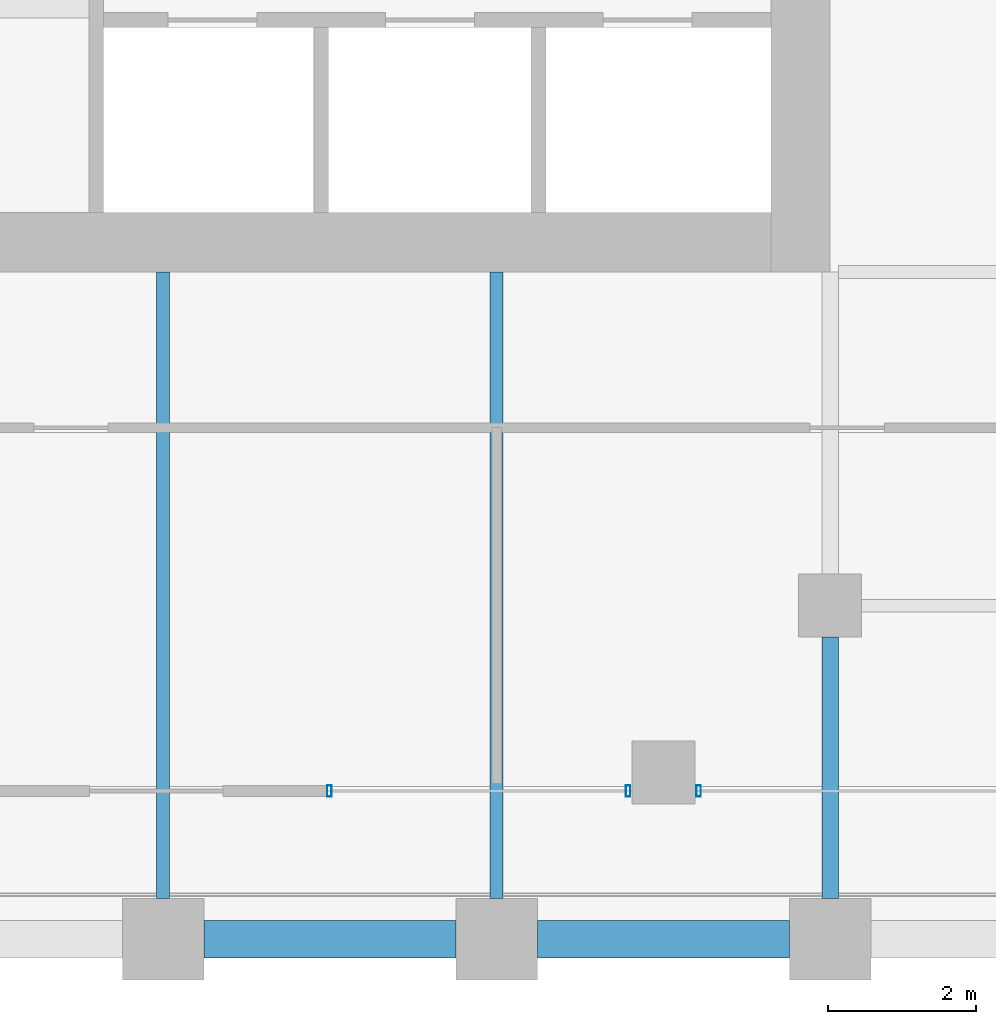
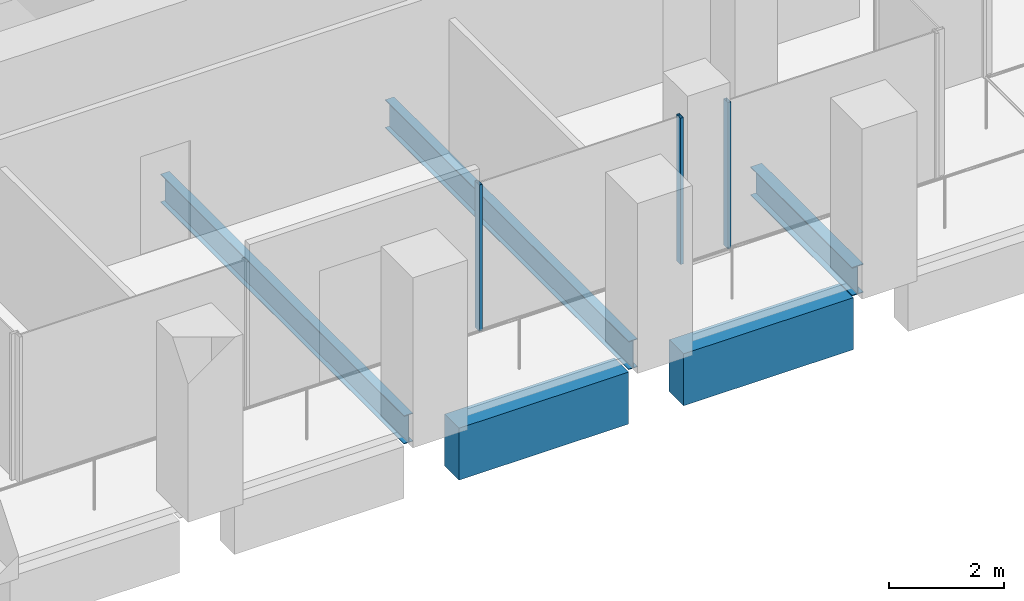
# One storey, part 37 of 56: 5 beams, 3 members, 2 elements without a shape of their own.
"""IFC4 building model written with IfcOpenShell, lengths in metres."""

from ifc_helpers import new_model, si_unit, direction, frame, origin, origin_2d, place, context, subcontext, project, spatial, rectangle, hollow_rectangle, i_section, extrude, material, material_profile, profile_set, type_object, element, aggregate, save


model = new_model("IFC4")

# Units and contexts
model_context = context("Model", 3, precision=1e-05, world=origin(), true_north=direction((0.0, 1.0)))
body_context = subcontext(model_context, "Body", "Model", "MODEL_VIEW")
ifc_project = project(units=[si_unit("LENGTHUNIT", "METRE"), si_unit("AREAUNIT", "SQUARE_METRE"), si_unit("VOLUMEUNIT", "CUBIC_METRE"), si_unit("PLANEANGLEUNIT", "RADIAN"), si_unit("MASSUNIT", "GRAM", prefix="KILO")], contexts=[model_context])

# Site, building, storey
site_placement = place(None, origin())
site = spatial("IfcSite", under=ifc_project, at=site_placement, CompositionType="ELEMENT")
building_placement = place(site_placement, origin())
building = spatial("IfcBuilding", under=site, at=building_placement, Name="Altepetl Exchange Towers", CompositionType="ELEMENT")
storey_placement = place(building_placement, frame((0.0, 0.0, 72.60009765625)))
storey = spatial("IfcBuildingStorey", under=building, at=storey_placement, Name="L17", CompositionType="ELEMENT", Elevation=72.60009765625)

# Beams
ifc_material_1 = material(Name="Steel S355", Category="steel")
ifc_material_profile_1 = material_profile(ifc_material_1, i_section(OverallWidth=0.177978515625, OverallDepth=0.59912109375, WebThickness=0.010009765625, FlangeThickness=0.0126953125, at=origin_2d()), Name="W24X55")
ifc_profile_set_1 = profile_set([ifc_material_profile_1], Name="Steel S355")
beam_type_1 = type_object("IfcBeamType", Name="Floor beam W24X55", PredefinedType="BEAM", material=ifc_profile_set_1)
for number, where, z_axis, x_axis, name in (
    (1, (108.0, 27.550048828125, -0.44970703125), (0.0, 1.0, 0.0), (-1.0, 0.0, 0.0), "bm:B:L17:010"),
    (2, (112.5, 27.550048828125, -0.44970703125), (0.0, 1.0, 0.0), (-1.0, 0.0, 0.0), "bm:B:L17:011"),
):
    element("IfcBeam", number, at=place(storey_placement, frame(where, z_axis=z_axis, x_axis=x_axis)), inside=storey, type_object=beam_type_1, Name=name, PredefinedType="BEAM", context=body_context, shape_type="SweptSolid", body=[
        extrude(i_section(OverallWidth=0.177978515625, OverallDepth=0.59912109375, WebThickness=0.010009765625, FlangeThickness=0.0126953125, at=origin_2d()), origin(), (0.0, 0.0, 1.0), 8.449951171875),
    ])
ifc_material_profile_2 = material_profile(ifc_material_1, i_section(OverallWidth=0.22802734375, OverallDepth=0.60791015625, WebThickness=0.01123046875, FlangeThickness=0.017333984375, at=origin_2d()), Name="W24X76")
ifc_profile_set_2 = profile_set([ifc_material_profile_2], Name="Steel S355")
beam_type_2 = type_object("IfcBeamType", Name="Girder W24X76", PredefinedType="BEAM", material=ifc_profile_set_2)
beam_placement = place(storey_placement, frame((117.0, 31.074951171875, -0.4541015625), z_axis=(0.0, -1.0, 0.0), x_axis=(1.0, 0.0, 0.0)))
element("IfcBeam", 3, at=beam_placement, inside=storey, type_object=beam_type_2, Name="gd:B:L17:005", PredefinedType="BEAM", context=body_context, shape_type="SweptSolid", body=[
    extrude(i_section(OverallWidth=0.22802734375, OverallDepth=0.60791015625, WebThickness=0.01123046875, FlangeThickness=0.017333984375, at=origin_2d()), origin(), (0.0, 0.0, 1.0), 3.52490234375),
])

# Curtain wall, members
ifc_material_2 = material(Name="Aluminium 6063-T6 glazing", Category="aluminium")
curtain_wall_type = type_object("IfcCurtainWallType", Name="Loggia glazing system", PredefinedType="NOTDEFINED", material=ifc_material_2)
curtain_wall_1_placement = place(storey_placement, origin())
curtain_wall_1 = element("IfcCurtainWall", 4, at=curtain_wall_1_placement, inside=storey, type_object=curtain_wall_type, Name="CW1 run", PredefinedType="NOTDEFINED")
ifc_material_3 = material(Name="Aluminium 6063-T6", Category="aluminium")
ifc_material_profile_3 = material_profile(ifc_material_3, hollow_rectangle(XDim=0.06005859375, YDim=0.14990234375, WallThickness=0.0029296875, at=origin_2d()), Name="Mullion 60x150 aluminium")
ifc_profile_set_3 = profile_set([ifc_material_profile_3], Name="Aluminium 6063-T6")
member_type = type_object("IfcMemberType", Name="Mullion 60x150 aluminium", PredefinedType="MULLION", material=ifc_profile_set_3)
member_1_placement = place(storey_placement, frame((110.242431640625, 29.0, 0.0)))
member_1 = element("IfcMember", 5, at=member_1_placement, type_object=member_type, Name="MU1 mullion", PredefinedType="MULLION", context=body_context, shape_type="SweptSolid", body=[
    extrude(hollow_rectangle(XDim=0.06005859375, YDim=0.14990234375, WallThickness=0.0029296875, at=origin_2d()), origin(), (0.0, 0.0, 1.0), 3.099853515625),
])
member_2_placement = place(storey_placement, frame((114.27490234375, 29.0, 0.0)))
member_2 = element("IfcMember", 6, at=member_2_placement, type_object=member_type, Name="MU1 mullion", PredefinedType="MULLION", context=body_context, shape_type="SweptSolid", body=[
    extrude(hollow_rectangle(XDim=0.06005859375, YDim=0.14990234375, WallThickness=0.0029296875, at=origin_2d()), origin(), (0.0, 0.0, 1.0), 3.099853515625),
])
aggregate(curtain_wall_1, [member_1, member_2])

# Curtain wall, member
curtain_wall_2_placement = place(storey_placement, origin())
curtain_wall_2 = element("IfcCurtainWall", 7, at=curtain_wall_2_placement, inside=storey, type_object=curtain_wall_type, Name="CW1 run", PredefinedType="NOTDEFINED")
member_3_placement = place(storey_placement, frame((115.22509765625, 29.0, 0.0)))
member_3 = element("IfcMember", 8, at=member_3_placement, type_object=member_type, Name="MU1 mullion", PredefinedType="MULLION", context=body_context, shape_type="SweptSolid", body=[
    extrude(hollow_rectangle(XDim=0.06005859375, YDim=0.14990234375, WallThickness=0.0029296875, at=origin_2d()), origin(), (0.0, 0.0, 1.0), 3.099853515625),
])
aggregate(curtain_wall_2, [member_3])

# Beams
ifc_material_4 = material(Name="Concrete C50/60 precast with tezontle facing", Category="concrete")
ifc_material_profile_4 = material_profile(ifc_material_4, rectangle(XDim=0.5, YDim=1.10009765625, at=origin_2d()), Name="500 x 1100")
ifc_profile_set_4 = profile_set([ifc_material_profile_4], Name="Concrete C50/60 precast with tezontle facing")
beam_type_3 = type_object("IfcBeamType", Name="Spandrel beam 500x1100 tezontle", PredefinedType="SPANDREL", material=ifc_profile_set_4)
for number, where, z_axis, x_axis, name in (
    (9, (108.550048828125, 27.0, -0.7001953125), (1.0, 0.0, 0.0), (0.0, 1.0, 0.0), "sp:B:L17:002"),
    (10, (113.050048828125, 27.0, -0.7001953125), (1.0, 0.0, 0.0), (0.0, 1.0, 0.0), "sp:B:L17:003"),
):
    element("IfcBeam", number, at=place(storey_placement, frame(where, z_axis=z_axis, x_axis=x_axis)), inside=storey, type_object=beam_type_3, Name=name, PredefinedType="SPANDREL", context=body_context, shape_type="SweptSolid", body=[
        extrude(rectangle(XDim=0.5, YDim=1.10009765625, at=origin_2d()), origin(), (0.0, 0.0, 1.0), 3.39990234375),
    ])

save(model, "model.ifc")
